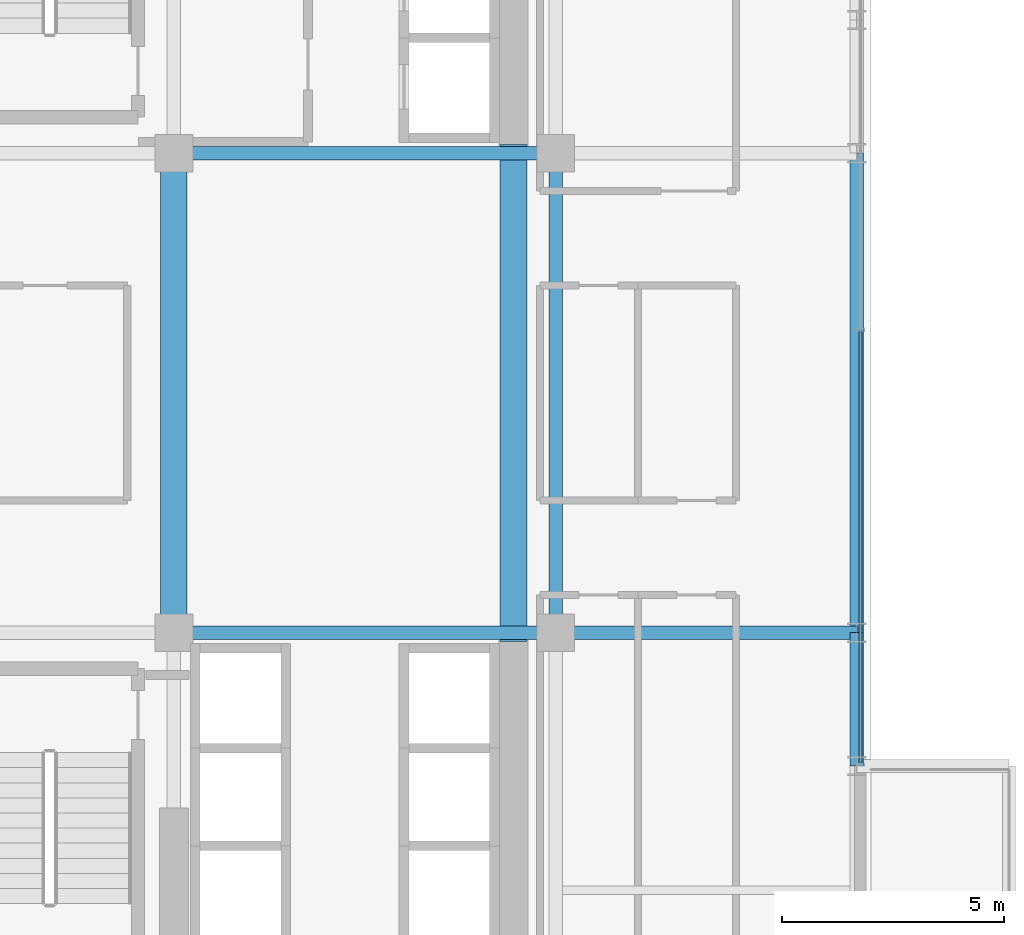
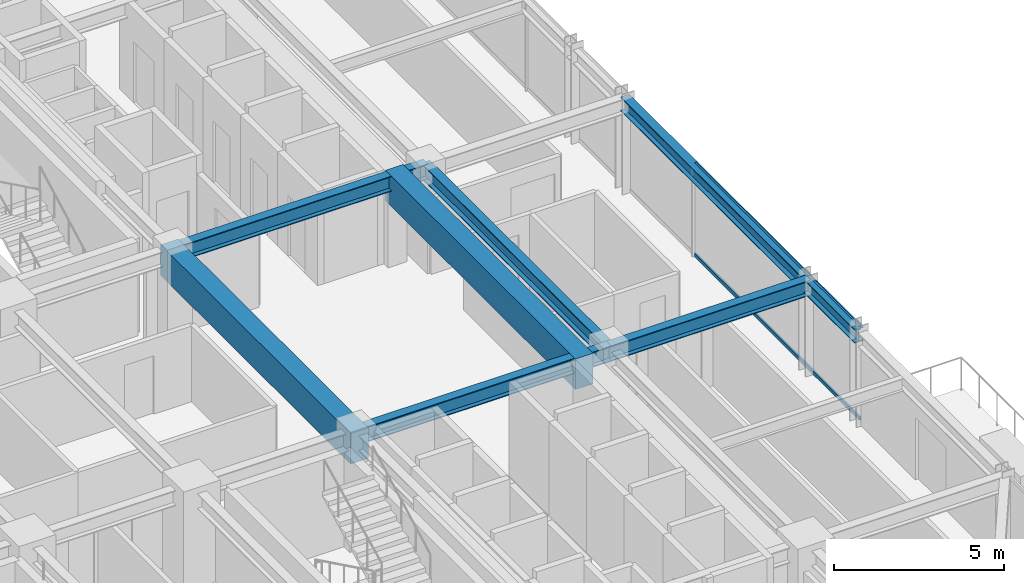
# One storey, part 14 of 34: 8 beams, 2 members, 1 element without a shape of its own.
"""IFC4 building model written with IfcOpenShell, lengths in metres."""

from ifc_helpers import new_model, si_unit, direction, frame, origin, origin_2d, place, context, subcontext, project, spatial, rectangle, hollow_rectangle, i_section, extrude, source, transform, mapped, material, material_profile, profile_set, type_object, element, aggregate, save


model = new_model("IFC4")

# Units and contexts
model_context = context("Model", 3, precision=1e-05, world=origin(), true_north=direction((0.0, 1.0)))
body_context = subcontext(model_context, "Body", "Model", "MODEL_VIEW")
ifc_project = project(units=[si_unit("LENGTHUNIT", "METRE"), si_unit("AREAUNIT", "SQUARE_METRE"), si_unit("VOLUMEUNIT", "CUBIC_METRE"), si_unit("PLANEANGLEUNIT", "RADIAN"), si_unit("MASSUNIT", "GRAM", prefix="KILO")], contexts=[model_context])

# Site, building, storey
site_placement = place(None, origin())
site = spatial("IfcSite", under=ifc_project, at=site_placement, CompositionType="ELEMENT")
building_placement = place(site_placement, origin())
building = spatial("IfcBuilding", under=site, at=building_placement, Name="Nahalor Promenade Grand Hotel", CompositionType="ELEMENT")
storey_placement = place(building_placement, frame((0.0, 0.0, 99.25)))
storey = spatial("IfcBuildingStorey", under=building, at=storey_placement, Name="L24", CompositionType="ELEMENT", Elevation=99.25)

# Beams
ifc_material_1 = material(Name="Concrete B-60 (C50/60)", Category="concrete")
ifc_material_profile_1 = material_profile(ifc_material_1, rectangle(XDim=0.6, YDim=1.1, at=origin_2d()), Name="RC 600x1100")
ifc_profile_set_1 = profile_set([ifc_material_profile_1], Name="Concrete B-60 (C50/60)")
beam_type_1 = type_object("IfcBeamType", Name="Beam-Lintel-RC1100", PredefinedType="LINTEL", material=ifc_profile_set_1)
shared_shape_1 = source(origin(), body_context, "Body", "SweptSolid", [
    extrude(rectangle(XDim=0.6, YDim=1.1, at=origin_2d()), origin(), (0.0, 0.0, 1.0), 11.2001953125),
])
for number, where, z_axis, x_axis, name in (
    (1, (8.39990234375, -5.60009765625, 2.830078125), (0.0, 1.0, 0.0), (-1.0, 0.0, 0.0), "BM-L24-LINT-W"),
    (2, (16.050048828125, -5.60009765625, 2.830078125), (0.0, 1.0, 0.0), (-1.0, 0.0, 0.0), "BM-L24-LINT-E"),
):
    element("IfcBeam", number, at=place(storey_placement, frame(where, z_axis=z_axis, x_axis=x_axis)), inside=storey, type_object=beam_type_1, Name=name, PredefinedType="LINTEL", context=body_context, shape_type="MappedRepresentation", body=[
        mapped(shared_shape_1, transform((0.0, 0.0, 0.0), scale=1.0)),
    ])
ifc_material_2 = material(Name="Steel S355JR", Category="steel")
ifc_material_profile_2 = material_profile(ifc_material_2, i_section(OverallWidth=0.3, OverallDepth=0.5, WebThickness=0.0145, FlangeThickness=0.028, at=origin_2d()), Name="HEB 500")
ifc_profile_set_2 = profile_set([ifc_material_profile_2], Name="Steel S355JR")
beam_type_2 = type_object("IfcBeamType", Name="Beam-Spandrel-HEB500", PredefinedType="SPANDREL", material=ifc_profile_set_2)
shared_shape_2 = source(origin(), body_context, "Body", "SweptSolid", [
    extrude(i_section(OverallWidth=0.3, OverallDepth=0.5, WebThickness=0.0145, FlangeThickness=0.028, at=origin_2d()), origin(), (0.0, 0.0, 1.0), 3.0),
])
beam_1_placement = place(storey_placement, frame((23.780029296875, -8.39990234375, 3.1298828125), z_axis=(0.0, 1.0, 0.0), x_axis=(-1.0, 0.0, 0.0)))
element("IfcBeam", 3, at=beam_1_placement, inside=storey, type_object=beam_type_2, Name="BM-L24-SP-E-1", PredefinedType="SPANDREL", context=body_context, shape_type="MappedRepresentation", body=[
    mapped(shared_shape_2, transform((0.0, 0.0, 0.0), scale=1.0)),
])
shared_shape_3 = source(origin(), body_context, "Body", "SweptSolid", [
    extrude(i_section(OverallWidth=0.3, OverallDepth=0.5, WebThickness=0.0145, FlangeThickness=0.028, at=origin_2d()), origin(), (0.0, 0.0, 1.0), 10.7998046875),
])
beam_2_placement = place(storey_placement, frame((23.780029296875, -5.39990234375, 3.1298828125), z_axis=(0.0, 1.0, 0.0), x_axis=(-1.0, 0.0, 0.0)))
element("IfcBeam", 4, at=beam_2_placement, inside=storey, type_object=beam_type_2, Name="BM-L24-SP-E-2", PredefinedType="SPANDREL", context=body_context, shape_type="MappedRepresentation", body=[
    mapped(shared_shape_3, transform((0.0, 0.0, 0.0), scale=1.0)),
])
ifc_material_profile_3 = material_profile(ifc_material_2, i_section(OverallWidth=0.3, OverallDepth=0.55, WebThickness=0.015, FlangeThickness=0.029, at=origin_2d()), Name="HEB 550")
ifc_profile_set_3 = profile_set([ifc_material_profile_3], Name="Steel S355JR")
beam_type_3 = type_object("IfcBeamType", Name="Beam-Girder-HEB550", PredefinedType="BEAM", material=ifc_profile_set_3)
shared_shape_4 = source(origin(), body_context, "Body", "SweptSolid", [
    extrude(i_section(OverallWidth=0.3, OverallDepth=0.55, WebThickness=0.015, FlangeThickness=0.029, at=origin_2d()), origin(), (0.0, 0.0, 1.0), 6.780029296875),
])
beam_3_placement = place(storey_placement, frame((17.0, -5.39990234375, 3.10498046875), z_axis=(1.0, 0.0, 0.0), x_axis=(0.0, 1.0, 0.0)))
element("IfcBeam", 5, at=beam_3_placement, inside=storey, type_object=beam_type_3, Name="BM-L24-GX-1-6", PredefinedType="BEAM", context=body_context, shape_type="MappedRepresentation", body=[
    mapped(shared_shape_4, transform((0.0, 0.0, 0.0), scale=1.0)),
])
shared_shape_5 = source(origin(), body_context, "Body", "SweptSolid", [
    extrude(i_section(OverallWidth=0.3, OverallDepth=0.55, WebThickness=0.015, FlangeThickness=0.029, at=origin_2d()), origin(), (0.0, 0.0, 1.0), 8.60009765625),
])
for number, where, z_axis, x_axis, name in (
    (6, (8.39990234375, -5.39990234375, 3.10498046875), (1.0, 0.0, 0.0), (0.0, 1.0, 0.0), "BM-L24-GX-1-5"),
    (7, (8.39990234375, 5.39990234375, 3.10498046875), (1.0, 0.0, 0.0), (0.0, 1.0, 0.0), "BM-L24-GX-2-5"),
):
    element("IfcBeam", number, at=place(storey_placement, frame(where, z_axis=z_axis, x_axis=x_axis)), inside=storey, type_object=beam_type_3, Name=name, PredefinedType="BEAM", context=body_context, shape_type="MappedRepresentation", body=[
        mapped(shared_shape_5, transform((0.0, 0.0, 0.0), scale=1.0)),
    ])
shared_shape_6 = source(origin(), body_context, "Body", "SweptSolid", [
    extrude(i_section(OverallWidth=0.3, OverallDepth=0.55, WebThickness=0.015, FlangeThickness=0.029, at=origin_2d()), origin(), (0.0, 0.0, 1.0), 10.7998046875),
])
beam_4_placement = place(storey_placement, frame((17.0, -5.39990234375, 3.10498046875), z_axis=(0.0, 1.0, 0.0), x_axis=(-1.0, 0.0, 0.0)))
element("IfcBeam", 8, at=beam_4_placement, inside=storey, type_object=beam_type_3, Name="BM-L24-GY-5-2", PredefinedType="BEAM", context=body_context, shape_type="MappedRepresentation", body=[
    mapped(shared_shape_6, transform((0.0, 0.0, 0.0), scale=1.0)),
])

# Curtain wall, members
ifc_material_3 = material(Name="Anodised Bronze Aluminium EN AW-6063 T6", Category="aluminium")
curtain_wall_type = type_object("IfcCurtainWallType", Name="CW2 Typical Hotel Flush Bronze Unitised Curtain Wall", PredefinedType="USERDEFINED", material=ifc_material_3)
curtain_wall_placement = place(storey_placement, origin())
curtain_wall = element("IfcCurtainWall", 9, at=curtain_wall_placement, inside=storey, type_object=curtain_wall_type, Name="L24 Curtain Wall CW-L24-E-3", ObjectType="UNITISED_CURTAIN_WALL", PredefinedType="USERDEFINED")
ifc_material_profile_4 = material_profile(ifc_material_3, hollow_rectangle(XDim=0.065, YDim=0.13, WallThickness=0.004, at=origin_2d()), Name="CWT 65x130x4")
ifc_profile_set_4 = profile_set([ifc_material_profile_4], Name="Anodised Bronze Aluminium EN AW-6063 T6")
member_type = type_object("IfcMemberType", Name="CWT2 Typical Bronze Transom 65x130", PredefinedType="USERDEFINED", material=ifc_profile_set_4)
shared_shape_7 = source(origin(), body_context, "Body", "SweptSolid", [
    extrude(hollow_rectangle(XDim=0.065, YDim=0.13, WallThickness=0.004, at=origin_2d()), origin(), (0.0, 0.0, 1.0), 9.722412109375),
])
member_1_placement = place(storey_placement, frame((23.860107421875, -8.3349609375, 0.06494140625), z_axis=(0.0, 1.0, 0.0), x_axis=(-1.0, 0.0, 0.0)))
member_1 = element("IfcMember", 10, at=member_1_placement, type_object=member_type, Name="CW-L24-E-3 Transom 0-0", ObjectType="TRANSOM", PredefinedType="USERDEFINED", context=body_context, shape_type="MappedRepresentation", body=[
    mapped(shared_shape_7, transform((0.0, 0.0, 0.0), scale=1.0)),
])
member_2_placement = place(storey_placement, frame((23.860107421875, -8.3349609375, 3.31494140625), z_axis=(0.0, 1.0, 0.0), x_axis=(-1.0, 0.0, 0.0)))
member_2 = element("IfcMember", 11, at=member_2_placement, type_object=member_type, Name="CW-L24-E-3 Transom 0-1", ObjectType="TRANSOM", PredefinedType="USERDEFINED", context=body_context, shape_type="MappedRepresentation", body=[
    mapped(shared_shape_7, transform((0.0, 0.0, 0.0), scale=1.0)),
])
aggregate(curtain_wall, [member_1, member_2])

save(model, "model.ifc")
